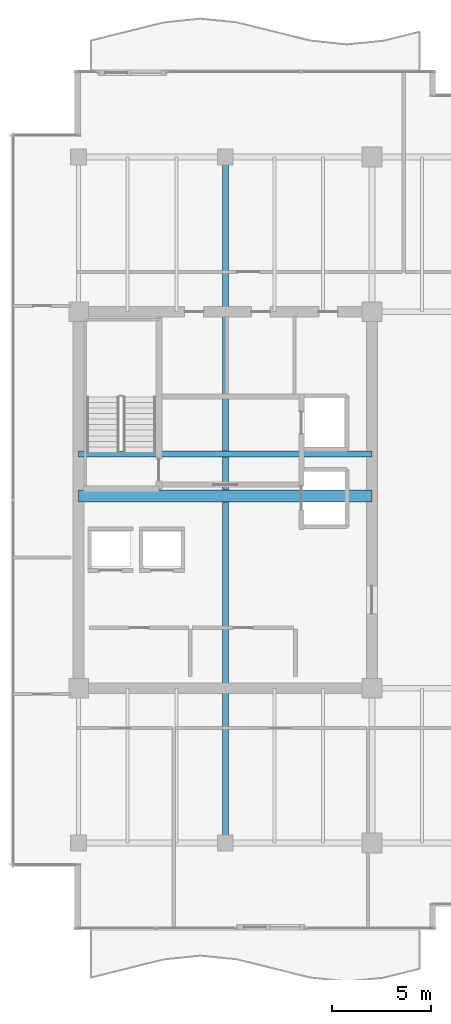
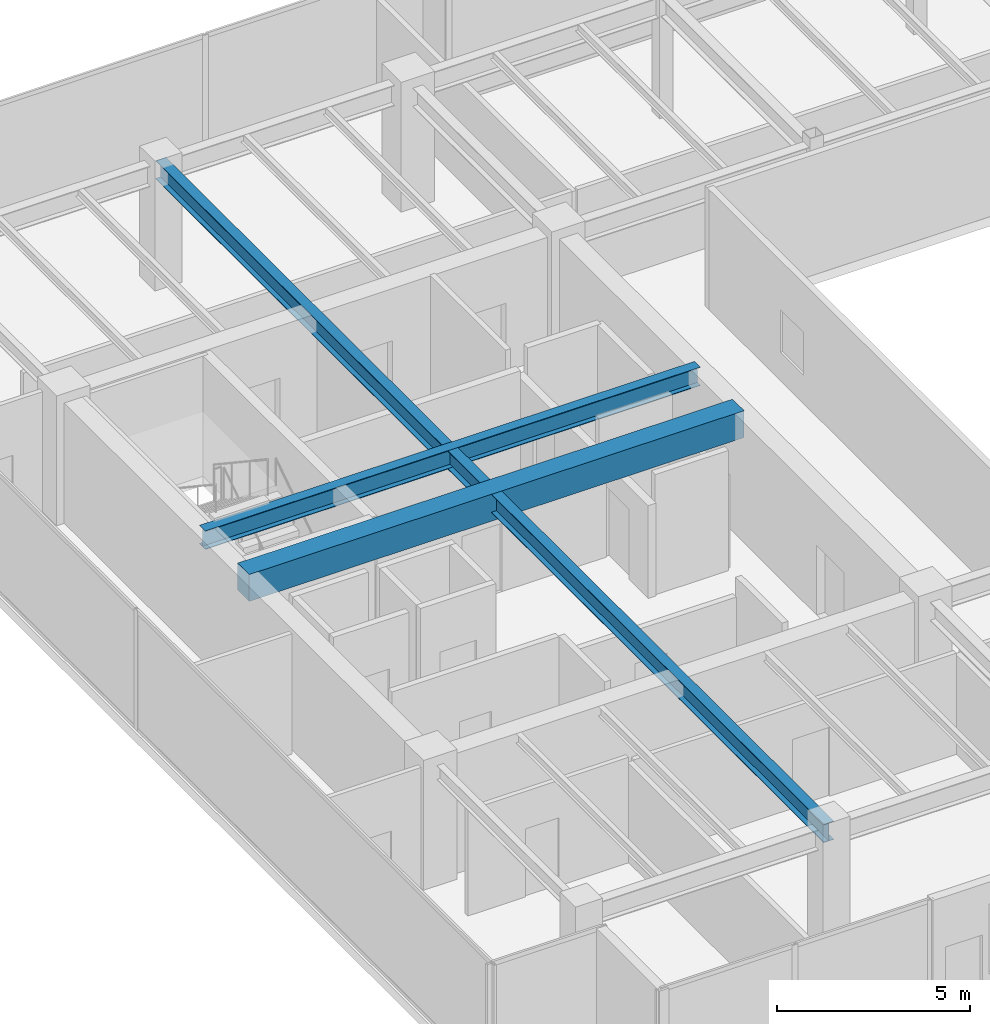
# One storey, part 9 of 34: 3 beams.
"""IFC4 building model written with IfcOpenShell, lengths in metres."""

from ifc_helpers import new_model, si_unit, direction, frame, origin, origin_2d, place, context, subcontext, project, spatial, rectangle, i_section, extrude, source, transform, mapped, material, material_profile, profile_set, type_object, type_shapes, element, save


model = new_model("IFC4")

# Units and contexts
model_context = context("Model", 3, precision=1e-05, world=origin(), true_north=direction((0.0, 1.0)))
body_context = subcontext(model_context, "Body", "Model", "MODEL_VIEW")
ifc_project = project(units=[si_unit("LENGTHUNIT", "METRE"), si_unit("AREAUNIT", "SQUARE_METRE"), si_unit("VOLUMEUNIT", "CUBIC_METRE"), si_unit("PLANEANGLEUNIT", "RADIAN"), si_unit("MASSUNIT", "GRAM", prefix="KILO")], contexts=[model_context])

# Site, building, storey
site_placement = place(None, origin())
site = spatial("IfcSite", under=ifc_project, at=site_placement, CompositionType="ELEMENT")
building_placement = place(site_placement, origin())
building = spatial("IfcBuilding", under=site, at=building_placement, Name="Haelvirn Gate Laboratories", CompositionType="ELEMENT")
storey_placement = place(building_placement, frame((0.0, 0.0, 205.5)))
storey = spatial("IfcBuildingStorey", under=building, at=storey_placement, Name="L49", CompositionType="ELEMENT", Elevation=205.5)

# Beams
ifc_material_1 = material(Name="Steel SM355", Category="steel")
ifc_material_profile_1 = material_profile(ifc_material_1, i_section(OverallWidth=0.300048828125, OverallDepth=0.587890625, WebThickness=0.011962890625, FlangeThickness=0.02001953125, at=origin_2d()), Name="H-588x300x12x20")
ifc_profile_set_1 = profile_set([ifc_material_profile_1], Name="Steel SM355")
beam_type_1 = type_object("IfcBeamType", Name="BM-G-588", PredefinedType="BEAM", material=ifc_profile_set_1)
shared_shape_1 = source(origin(), body_context, "Body", "SweptSolid", [
    extrude(i_section(OverallWidth=0.300048828125, OverallDepth=0.587890625, WebThickness=0.011962890625, FlangeThickness=0.02001953125, at=origin_2d()), origin(), (0.0, 0.0, 1.0), 14.800048828125),
])
beam_1_placement = place(storey_placement, frame((7.39990234375, 26.6201171875, 3.506103515625), z_axis=(1.0, 0.0, 0.0), x_axis=(0.0, 1.0, 0.0)))
element("IfcBeam", 1, at=beam_1_placement, inside=storey, type_object=beam_type_1, Name="L49 Stair ST1 Landing Header", PredefinedType="BEAM", context=body_context, shape_type="MappedRepresentation", body=[
    mapped(shared_shape_1, transform((0.0, 0.0, 0.0), scale=1.0)),
])
shared_shape_2 = source(origin(), body_context, "Body", "SweptSolid", [
    extrude(i_section(OverallWidth=0.300048828125, OverallDepth=0.587890625, WebThickness=0.011962890625, FlangeThickness=0.02001953125, at=origin_2d()), origin(), (0.0, 0.0, 1.0), 34.60009765625),
])
type_shapes(beam_type_1, [shared_shape_1, shared_shape_2])
beam_2_placement = place(storey_placement, frame((14.800048828125, 7.0, 3.506103515625), z_axis=(0.0, 1.0, 0.0), x_axis=(-1.0, 0.0, 0.0)))
element("IfcBeam", 2, at=beam_2_placement, inside=storey, type_object=beam_type_1, Name="L49 Frame Girder X14.8 (7.0-41.6)", PredefinedType="BEAM", context=body_context, shape_type="MappedRepresentation", body=[
    mapped(shared_shape_2, transform((0.0, 0.0, 0.0), scale=1.0)),
])
ifc_material_2 = material(Name="Concrete C50/60", Category="concrete")
ifc_material_profile_2 = material_profile(ifc_material_2, rectangle(XDim=0.60009765625, YDim=0.85009765625, at=origin_2d()), Name="RCB-600x850")
ifc_profile_set_2 = profile_set([ifc_material_profile_2], Name="Concrete C50/60")
beam_type_2 = type_object("IfcBeamType", Name="BM-RCB-850", PredefinedType="LINTEL", material=ifc_profile_set_2)
shared_shape_3 = source(origin(), body_context, "Body", "SweptSolid", [
    extrude(rectangle(XDim=0.60009765625, YDim=0.85009765625, at=origin_2d()), origin(), (0.0, 0.0, 1.0), 14.800048828125),
])
type_shapes(beam_type_2, [shared_shape_3])
beam_3_placement = place(storey_placement, frame((7.39990234375, 24.5, 3.375), z_axis=(1.0, 0.0, 0.0), x_axis=(0.0, 1.0, 0.0)))
element("IfcBeam", 3, at=beam_3_placement, inside=storey, type_object=beam_type_2, Name="L49 West Core Coupling Beam", PredefinedType="LINTEL", context=body_context, shape_type="MappedRepresentation", body=[
    mapped(shared_shape_3, transform((0.0, 0.0, 0.0), scale=1.0)),
])

save(model, "model.ifc")
